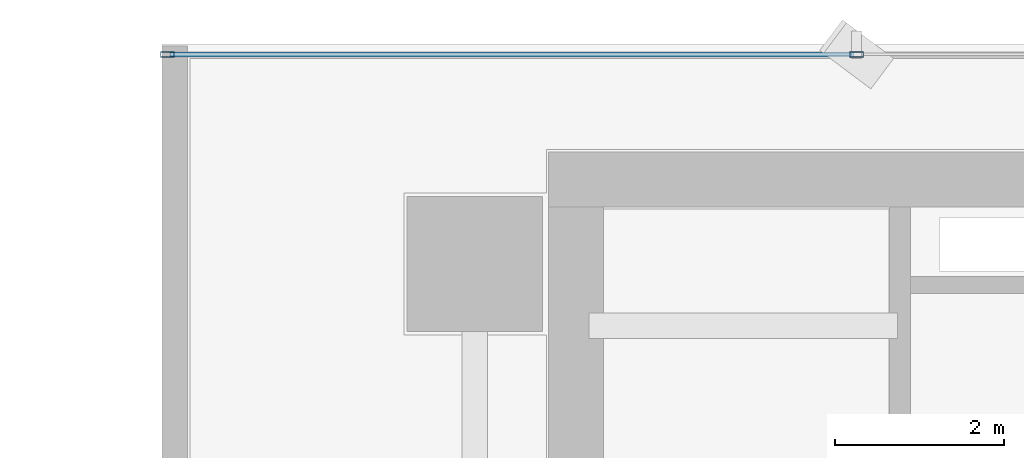
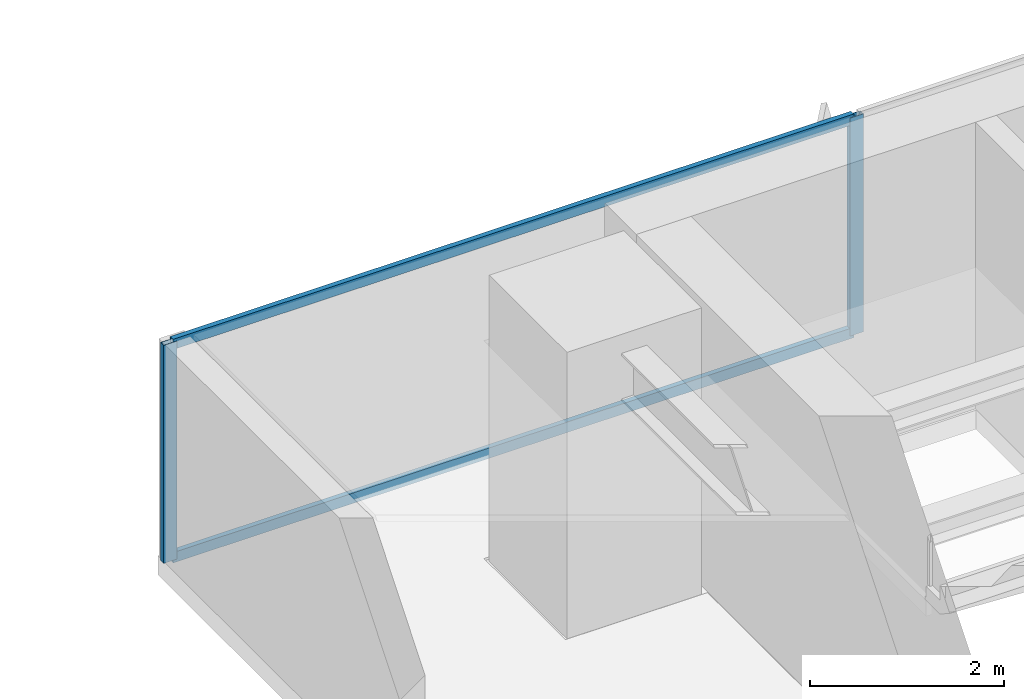
# One storey, part 20 of 37: 4 members, 1 element without a shape of its own.
"""IFC4 building model written with IfcOpenShell, lengths in metres."""

from ifc_helpers import new_model, si_unit, direction, frame, origin, origin_2d, place, context, subcontext, project, spatial, hollow_rectangle, extrude, source, transform, mapped, material, layer, layer_set, material_profile, profile_set, type_object, element, aggregate, save


model = new_model("IFC4")

# Units and contexts
model_context = context("Model", 3, precision=1e-05, world=origin(), true_north=direction((0.0, 1.0)))
body_context = subcontext(model_context, "Body", "Model", "MODEL_VIEW")
ifc_project = project(units=[si_unit("LENGTHUNIT", "METRE"), si_unit("AREAUNIT", "SQUARE_METRE"), si_unit("VOLUMEUNIT", "CUBIC_METRE"), si_unit("PLANEANGLEUNIT", "RADIAN"), si_unit("MASSUNIT", "GRAM", prefix="KILO")], contexts=[model_context])

# Site, building, storey
site_placement = place(None, origin())
site = spatial("IfcSite", under=ifc_project, at=site_placement, CompositionType="ELEMENT")
building_placement = place(site_placement, origin())
building = spatial("IfcBuilding", under=site, at=building_placement, Name="Sumidabori Civic Tower", CompositionType="ELEMENT")
storey_placement = place(building_placement, frame((0.0, 0.0, 81.199951171875)))
storey = spatial("IfcBuildingStorey", under=building, at=storey_placement, Name="L20", CompositionType="ELEMENT", Elevation=81.199951171875)

# Curtain wall, members
ifc_material = material(Name="Anodised Bronze Aluminium AW-6063-T6", Category="aluminium")
ifc_layer = layer(ifc_material, 0.179931640625, Name="Anodised Bronze Aluminium AW-6063-T6")
ifc_layer_set = layer_set([ifc_layer], Name="Anodised Bronze Aluminium AW-6063-T6")
curtain_wall_type = type_object("IfcCurtainWallType", Name="CW-SYS-3", PredefinedType="NOTDEFINED", material=ifc_layer_set)
curtain_wall_placement = place(storey_placement, origin())
curtain_wall = element("IfcCurtainWall", 1, at=curtain_wall_placement, inside=storey, type_object=curtain_wall_type, Name="Curtain Wall CW:L20:R07", PredefinedType="NOTDEFINED")
ifc_material_profile_1 = material_profile(ifc_material, hollow_rectangle(XDim=0.06494140625, YDim=0.159912109375, WallThickness=0.0048828125, at=origin_2d()), Name="ALU MULLION 160x65")
ifc_profile_set_1 = profile_set([ifc_material_profile_1], Name="Anodised Bronze Aluminium AW-6063-T6")
member_type_1 = type_object("IfcMemberType", Name="CW-MUL-160", PredefinedType="MULLION", material=ifc_profile_set_1)
shared_shape_1 = source(origin(), body_context, "Body", "SweptSolid", [
    extrude(hollow_rectangle(XDim=0.06494140625, YDim=0.159912109375, WallThickness=0.0048828125, at=origin_2d()), origin(), (0.0, 0.0, 1.0), 2.739990234375),
])
member_1_placement = place(storey_placement, frame((-12.281982421875, 25.280029296875, 0.0), z_axis=(0.0, 0.0, 1.0), x_axis=(0.0, -1.0, 0.0)))
member_1 = element("IfcMember", 2, at=member_1_placement, type_object=member_type_1, Name="CW-3 mullion 5", PredefinedType="MULLION", context=body_context, shape_type="MappedRepresentation", body=[
    mapped(shared_shape_1, transform((0.0, 0.0, 0.0), x_axis=(1.0, 0.0, 0.0), y_axis=(0.0, 1.0, 0.0), z_axis=(0.0, 0.0, 1.0), scale=1.0)),
])
member_2_placement = place(storey_placement, frame((-20.4375, 25.280029296875, 0.0), z_axis=(0.0, 0.0, 1.0), x_axis=(0.0, -1.0, 0.0)))
member_2 = element("IfcMember", 3, at=member_2_placement, type_object=member_type_1, Name="CW-3 mullion 6", PredefinedType="MULLION", context=body_context, shape_type="MappedRepresentation", body=[
    mapped(shared_shape_1, transform((0.0, 0.0, 0.0), x_axis=(1.0, 0.0, 0.0), y_axis=(0.0, 1.0, 0.0), z_axis=(0.0, 0.0, 1.0), scale=1.0)),
])
ifc_material_profile_2 = material_profile(ifc_material, hollow_rectangle(XDim=0.06005859375, YDim=0.1298828125, WallThickness=0.0048828125, at=origin_2d()), Name="ALU TRANSOM 130x60")
ifc_profile_set_2 = profile_set([ifc_material_profile_2], Name="Anodised Bronze Aluminium AW-6063-T6")
member_type_2 = type_object("IfcMemberType", Name="CW-TRN-130", PredefinedType="USERDEFINED", material=ifc_profile_set_2)
shared_shape_2 = source(origin(), body_context, "Body", "SweptSolid", [
    extrude(hollow_rectangle(XDim=0.06005859375, YDim=0.1298828125, WallThickness=0.0048828125, at=origin_2d()), origin(), (0.0, 0.0, 1.0), 8.090576171875),
])
member_3_placement = place(storey_placement, frame((-12.314453125, 25.280029296875, 0.030029296875), z_axis=(-1.0, 0.0, 0.0), x_axis=(0.0, -1.0, 0.0)))
member_3 = element("IfcMember", 4, at=member_3_placement, type_object=member_type_2, Name="CW-3 transom 5.1", ObjectType="TRANSOM", PredefinedType="USERDEFINED", context=body_context, shape_type="MappedRepresentation", body=[
    mapped(shared_shape_2, transform((0.0, 0.0, 0.0), x_axis=(1.0, 0.0, 0.0), y_axis=(0.0, 1.0, 0.0), z_axis=(0.0, 0.0, 1.0), scale=1.0)),
])
member_4_placement = place(storey_placement, frame((-12.314453125, 25.280029296875, 2.7099609375), z_axis=(-1.0, 0.0, 0.0), x_axis=(0.0, -1.0, 0.0)))
member_4 = element("IfcMember", 5, at=member_4_placement, type_object=member_type_2, Name="CW-3 transom 5.2", ObjectType="TRANSOM", PredefinedType="USERDEFINED", context=body_context, shape_type="MappedRepresentation", body=[
    mapped(shared_shape_2, transform((0.0, 0.0, 0.0), x_axis=(1.0, 0.0, 0.0), y_axis=(0.0, 1.0, 0.0), z_axis=(0.0, 0.0, 1.0), scale=1.0)),
])
aggregate(curtain_wall, [member_1, member_2, member_3, member_4])

save(model, "model.ifc")
